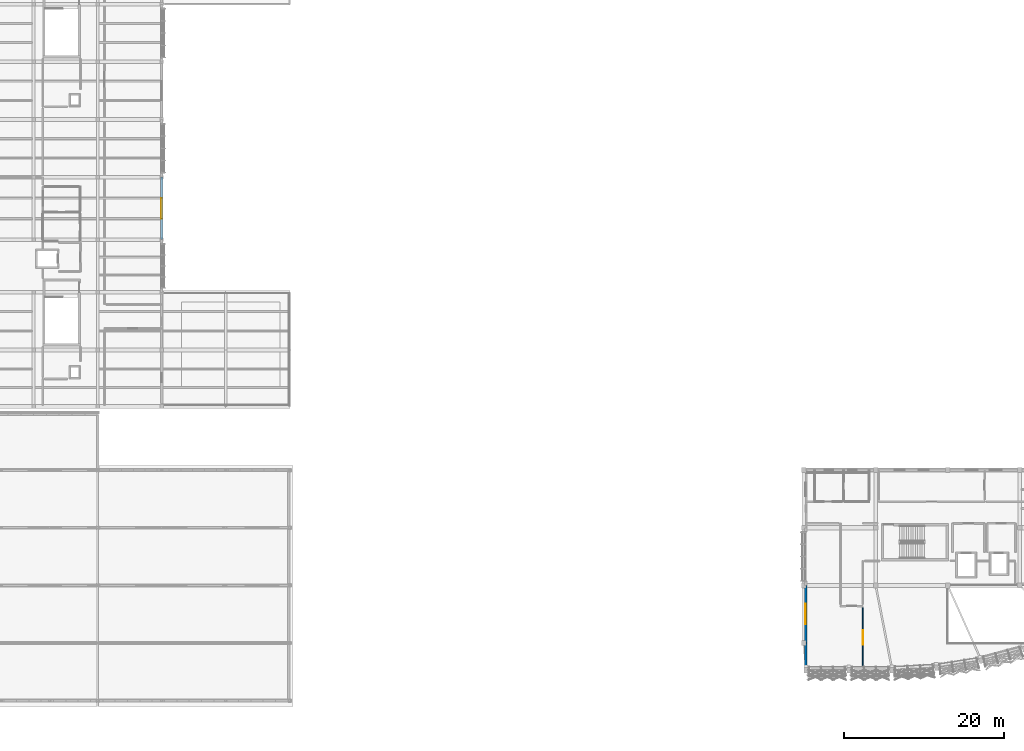
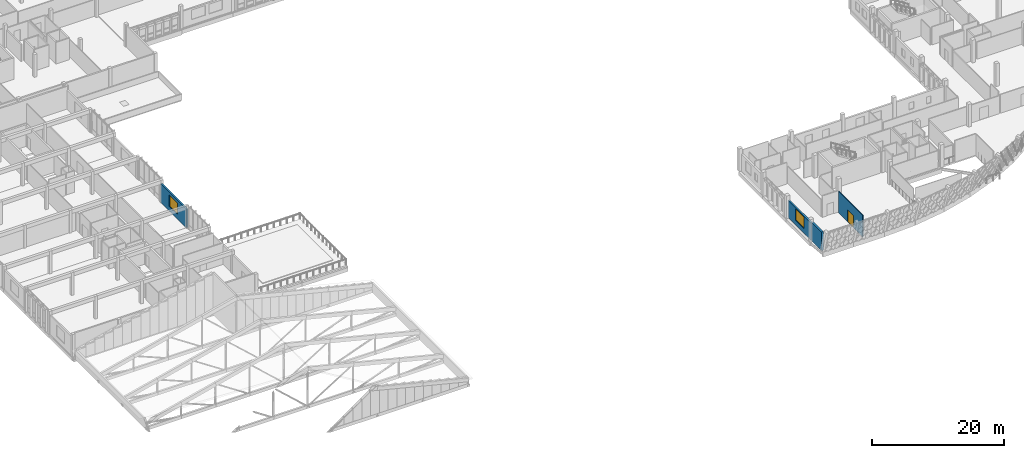
# One storey, part 90 of 107: 4 walls, 2 windows, 1 door, 3 openings.
"""IFC4 building model written with IfcOpenShell, lengths in metres."""

from ifc_helpers import new_model, si_unit, direction, frame, frame_2d, origin, place, context, subcontext, project, spatial, rectangle, extrude, material, layer, layer_set, type_object, element, fill, save


model = new_model("IFC4")

# Units and contexts
model_context = context("Model", 3, precision=1e-05, world=origin(), true_north=direction((0.0, 1.0)))
body_context = subcontext(model_context, "Body", "Model", "MODEL_VIEW")
ifc_project = project(units=[si_unit("LENGTHUNIT", "METRE"), si_unit("AREAUNIT", "SQUARE_METRE"), si_unit("VOLUMEUNIT", "CUBIC_METRE"), si_unit("PLANEANGLEUNIT", "RADIAN"), si_unit("MASSUNIT", "GRAM", prefix="KILO")], contexts=[model_context])

# Site, building, storey
site_placement = place(None, origin())
site = spatial("IfcSite", under=ifc_project, at=site_placement, CompositionType="ELEMENT")
building_placement = place(site_placement, origin())
building = spatial("IfcBuilding", under=site, at=building_placement, Name="Chiffa Square Polytechnic", CompositionType="ELEMENT")
storey_placement = place(building_placement, frame((0.0, 0.0, 13.800048828125)))
storey = spatial("IfcBuildingStorey", under=building, at=storey_placement, Name="L03", CompositionType="ELEMENT", Elevation=13.800048828125)

# Wall, opening, window
ifc_material_1 = material(Name="Precast concrete C40/50", Category="concrete")
ifc_layer_1 = layer(ifc_material_1, 0.280029296875, Name="Precast concrete C40/50")
ifc_layer_set_1 = layer_set([ifc_layer_1], Name="Precast concrete C40/50")
wall_type_1 = type_object("IfcWallType", Name="WL-EXT-PC280", PredefinedType="SOLIDWALL", material=ifc_layer_set_1)
wall_1_placement = place(storey_placement, frame((32.0, 57.60009765625, 0.0), z_axis=(0.0, 0.0, 1.0), x_axis=(0.0, 1.0, 0.0)))
wall_1 = element("IfcWall", 1, at=wall_1_placement, inside=storey, type_object=wall_type_1, Name="Exterior wall WE-V6-L03-0453", PredefinedType="SOLIDWALL", context=body_context, shape_type="SweptSolid", body=[
    extrude(rectangle(XDim=7.7998046875, YDim=0.280029296875, at=frame_2d((3.89990234375, 0.0))), origin(), (0.0, 0.0, 1.0), 3.48486328125),
])
opening_1_placement = place(wall_1_placement, frame((2.625, 0.0, 0.85009765625)))
opening_1 = element("IfcOpeningElement", 2, at=opening_1_placement, cuts=wall_1, Name="Opening W-09", PredefinedType="OPENING", context=body_context, shape_type="SweptSolid", body=[
    extrude(rectangle(XDim=2.550048828125, YDim=2.10009765625, at=frame_2d((1.27490234375, 1.050048828125))), frame((0.0, 0.14990234375, 0.0), z_axis=(0.0, -1.0, 0.0), x_axis=(1.0, 0.0, 0.0)), (0.0, 0.0, 1.0), 0.300048828125),
])
ifc_material_2 = material(Name="Double glazing in thermally broken aluminium frame", Category="aluminium")
window_type = type_object("IfcWindowType", Name="WIN-STD-2550X2100", PartitioningType="DOUBLE_PANEL_VERTICAL", PredefinedType="WINDOW", material=ifc_material_2)
window_1_placement = place(opening_1_placement, origin())
window_1 = element("IfcWindow", 3, at=window_1_placement, inside=storey, type_object=window_type, Name="Facade window WN-L03-0302", OverallHeight=2.10009765625, OverallWidth=2.550048828125, PartitioningType="DOUBLE_PANEL_VERTICAL", PredefinedType="WINDOW", context=body_context, shape_type="SweptSolid", body=[
    extrude(rectangle(XDim=2.550048828125, YDim=2.10009765625, at=frame_2d((1.27490234375, 1.050048828125))), frame((0.0, 0.030029296875, 0.0), z_axis=(0.0, -1.0, 0.0), x_axis=(1.0, 0.0, 0.0)), (0.0, 0.0, 1.0), 0.06005859375),
])
fill(opening_1, window_1)

ifc_layer_2 = layer(ifc_material_1, 0.300048828125, Name="Precast concrete C40/50")
ifc_layer_set_2 = layer_set([ifc_layer_2], Name="Precast concrete C40/50")
wall_type_2 = type_object("IfcWallType", Name="WL-EXT-PC300", PredefinedType="SOLIDWALL", material=ifc_layer_set_2)
wall_2_placement = place(storey_placement, frame((112.449951171875, 14.39990234375, 0.0), z_axis=(0.0, 0.0, 1.0), x_axis=(0.0, -1.0, 0.0)))
wall_2 = element("IfcWall", 4, at=wall_2_placement, inside=storey, type_object=wall_type_2, Name="Exterior wall WE-V1-L03-0057", PredefinedType="SOLIDWALL", context=body_context, shape_type="SweptSolid", body=[
    extrude(rectangle(XDim=7.199951171875, YDim=0.300048828125, at=frame_2d((3.60009765625, 0.0))), origin(), (0.0, 0.0, 1.0), 3.14501953125),
])
opening_2_placement = place(wall_2_placement, frame((2.324951171875, 0.0, 0.85009765625)))
opening_2 = element("IfcOpeningElement", 5, at=opening_2_placement, cuts=wall_2, Name="Opening W-09", PredefinedType="OPENING", context=body_context, shape_type="SweptSolid", body=[
    extrude(rectangle(XDim=2.550048828125, YDim=2.10009765625, at=frame_2d((1.27490234375, 1.050048828125))), frame((0.0, 0.16015625, 0.0), z_axis=(0.0, -1.0, 0.0), x_axis=(1.0, 0.0, 0.0)), (0.0, 0.0, 1.0), 0.320068359375),
])
window_2_placement = place(opening_2_placement, origin())
window_2 = element("IfcWindow", 6, at=window_2_placement, inside=storey, type_object=window_type, Name="Facade window WN-L03-0057", OverallHeight=2.10009765625, OverallWidth=2.550048828125, PartitioningType="DOUBLE_PANEL_VERTICAL", PredefinedType="WINDOW", context=body_context, shape_type="SweptSolid", body=[
    extrude(rectangle(XDim=2.550048828125, YDim=2.10009765625, at=frame_2d((1.27490234375, 1.050048828125))), frame((0.0, 0.030029296875, 0.0), z_axis=(0.0, -1.0, 0.0), x_axis=(1.0, 0.0, 0.0)), (0.0, 0.0, 1.0), 0.06005859375),
])
fill(opening_2, window_2)

# Wall
ifc_layer_3 = layer(ifc_material_1, 0.320068359375, Name="Precast concrete C40/50")
ifc_layer_set_3 = layer_set([ifc_layer_3], Name="Precast concrete C40/50")
wall_type_3 = type_object("IfcWallType", Name="WL-EXT-PC320", PredefinedType="SOLIDWALL", material=ifc_layer_set_3)
wall_3_placement = place(storey_placement, frame((112.449951171875, 7.199951171875, 0.0), z_axis=(0.0, 0.0, 1.0), x_axis=(0.0, -1.0, 0.0)))
element("IfcWall", 7, at=wall_3_placement, inside=storey, type_object=wall_type_3, Name="Exterior wall WE-V1-L03-0058", PredefinedType="SOLIDWALL", context=body_context, shape_type="SweptSolid", body=[
    extrude(rectangle(XDim=3.037841796875, YDim=0.320068359375, at=frame_2d((1.51904296875, 0.0))), origin(), (0.0, 0.0, 1.0), 3.445068359375),
])

# Wall, opening, door
ifc_material_3 = material(Name="Gypsum board on steel stud", Category="steel")
ifc_layer_4 = layer(ifc_material_3, 0.135009765625, Name="Gypsum board on steel stud")
ifc_layer_set_4 = layer_set([ifc_layer_4], Name="Gypsum board on steel stud")
wall_type_4 = type_object("IfcWallType", Name="WL-PART-135", PredefinedType="PARTITIONING", material=ifc_layer_set_4)
wall_4_placement = place(storey_placement, frame((119.60009765625, 4.217041015625, 0.0), z_axis=(0.0, 0.0, 1.0), x_axis=(0.0, 1.0, 0.0)))
wall_4 = element("IfcWall", 8, at=wall_4_placement, inside=storey, type_object=wall_type_4, Name="Interior partition WP-V1-L03-0535", PredefinedType="PARTITIONING", context=body_context, shape_type="SweptSolid", body=[
    extrude(rectangle(XDim=7.363037109375, YDim=0.135009765625, at=frame_2d((3.681640625, 0.0))), origin(), (0.0, 0.0, 1.0), 3.9599609375),
])
opening_3_placement = place(wall_4_placement, frame((2.781982421875, 0.0, 0.0)))
opening_3 = element("IfcOpeningElement", 9, at=opening_3_placement, cuts=wall_4, Name="Opening DI-L03-200", PredefinedType="OPENING", context=body_context, shape_type="SweptSolid", body=[
    extrude(rectangle(XDim=1.800048828125, YDim=2.199951171875, at=frame_2d((0.89990234375, 1.10009765625))), frame((0.0, 0.07763671875, 0.0), z_axis=(0.0, -1.0, 0.0), x_axis=(1.0, 0.0, 0.0)), (0.0, 0.0, 1.0), 0.155029296875),
])
ifc_material_4 = material(Name="Solid oak fire door pair")
door_type = type_object("IfcDoorType", Name="DR-CORR-DBL-1800", OperationType="DOUBLE_DOOR_SINGLE_SWING", PredefinedType="DOOR", material=ifc_material_4)
door_placement = place(opening_3_placement, origin())
door = element("IfcDoor", 10, at=door_placement, inside=storey, type_object=door_type, Name="Interior room door DI-L03-200", OperationType="DOUBLE_DOOR_SINGLE_SWING", OverallHeight=2.199951171875, OverallWidth=1.800048828125, PredefinedType="DOOR", context=body_context, shape_type="SweptSolid", body=[
    extrude(rectangle(XDim=1.800048828125, YDim=2.199951171875, at=frame_2d((0.89990234375, 1.10009765625))), frame((0.0, 0.02490234375, 0.0), z_axis=(0.0, -1.0, 0.0), x_axis=(1.0, 0.0, 0.0)), (0.0, 0.0, 1.0), 0.050048828125),
])
fill(opening_3, door)

save(model, "model.ifc")
